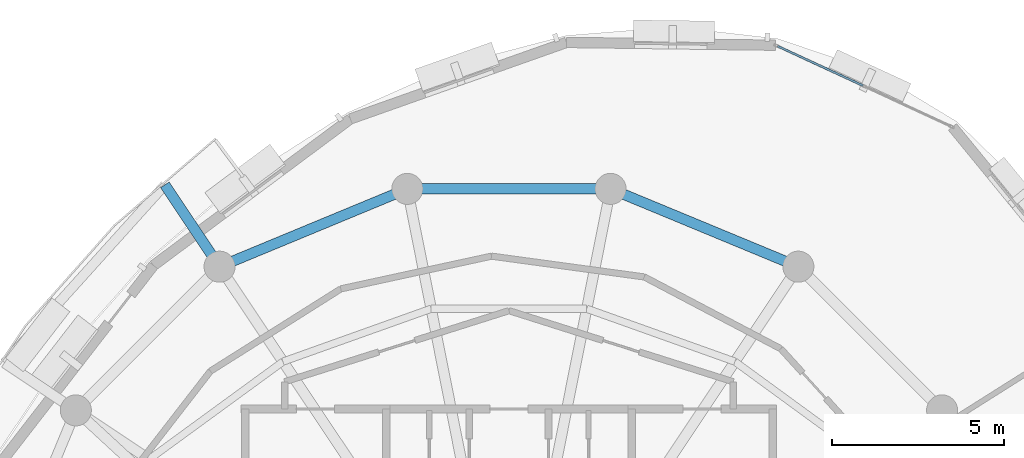
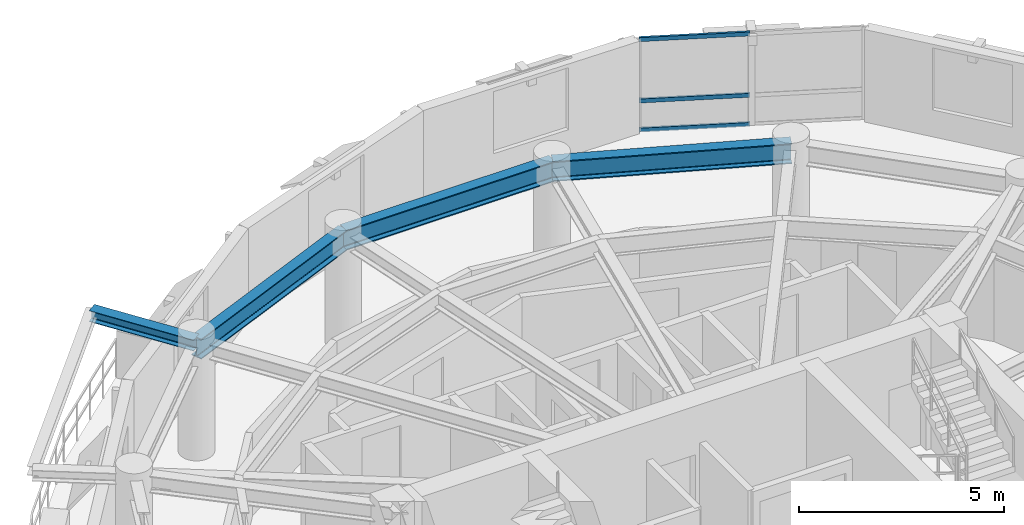
# One storey, part 4 of 11: 4 beams, 3 members, 1 element without a shape of its own.
"""IFC4 building model written with IfcOpenShell, lengths in metres."""

from ifc_helpers import new_model, si_unit, direction, frame, origin, origin_2d, place, context, subcontext, project, spatial, hollow_rectangle, i_section, extrude, material, layer, layer_set, material_profile, profile_set, type_object, element, aggregate, save


model = new_model("IFC4")

# Units and contexts
model_context = context("Model", 3, precision=1e-05, world=origin(), true_north=direction((0.0, 1.0)))
body_context = subcontext(model_context, "Body", "Model", "MODEL_VIEW")
ifc_project = project(units=[si_unit("LENGTHUNIT", "METRE"), si_unit("AREAUNIT", "SQUARE_METRE"), si_unit("VOLUMEUNIT", "CUBIC_METRE"), si_unit("PLANEANGLEUNIT", "RADIAN"), si_unit("MASSUNIT", "GRAM", prefix="KILO"), si_unit("THERMODYNAMICTEMPERATUREUNIT", "KELVIN"), si_unit("POWERUNIT", "WATT")], contexts=[model_context])

# Site, building, storey
site_placement = place(None, origin())
site = spatial("IfcSite", under=ifc_project, at=site_placement, CompositionType="ELEMENT")
building_placement = place(site_placement, origin())
building = spatial("IfcBuilding", under=site, at=building_placement, Name="Ocrelia Relay Tower", CompositionType="ELEMENT")
storey_placement = place(building_placement, frame((0.0, 0.0, 248.39990234375)))
storey = spatial("IfcBuildingStorey", under=building, at=storey_placement, Name="L61", CompositionType="ELEMENT", Elevation=248.39990234375)

# Beams
ifc_material_1 = material(Name="Steel S355", Category="steel")
ifc_material_profile_1 = material_profile(ifc_material_1, i_section(OverallWidth=0.300048828125, OverallDepth=0.330078125, WebThickness=0.009521484375, FlangeThickness=0.0166015625, FilletRadius=0.027099609375, at=origin_2d()), Name="HEA 340")
ifc_profile_set_1 = profile_set([ifc_material_profile_1], Name="Steel S355")
beam_type_1 = type_object("IfcBeamType", Name="BM-HEA340", PredefinedType="BEAM", material=ifc_profile_set_1)
beam_1_placement = place(storey_placement, frame((25.61083984375, 38.55517578125, 3.215087890625), z_axis=(-0.555549199734, 0.83148366591, 0.0), x_axis=(-0.83148366591, -0.555549199734, 0.0)))
element("IfcBeam", 1, at=beam_1_placement, inside=storey, type_object=beam_type_1, Name="L62 Balcony Cantilever Beam B1-1", PredefinedType="BEAM", context=body_context, shape_type="SweptSolid", body=[
    extrude(i_section(OverallWidth=0.300048828125, OverallDepth=0.330078125, WebThickness=0.009521484375, FlangeThickness=0.0166015625, FilletRadius=0.027099609375, at=origin_2d()), origin(), (0.0, 0.0, 1.0), 2.8525390625),
])
ifc_material_profile_2 = material_profile(ifc_material_1, i_section(OverallWidth=0.300048828125, OverallDepth=0.60009765625, WebThickness=0.015380859375, FlangeThickness=0.030029296875, FilletRadius=0.027099609375, at=origin_2d()), Name="HEB 600")
ifc_profile_set_2 = profile_set([ifc_material_profile_2], Name="Steel S355")
beam_type_2 = type_object("IfcBeamType", Name="BM-HEB600", PredefinedType="BEAM", material=ifc_profile_set_2)
beam_2_placement = place(storey_placement, frame((42.38916015625, 38.55517578125, 3.080078125), z_axis=(-0.923884009374, 0.382672624084, 0.0), x_axis=(-0.382672624084, -0.923884009374, 0.0)))
element("IfcBeam", 2, at=beam_2_placement, inside=storey, type_object=beam_type_2, Name="L61 Perimeter Spandrel Beam S03", PredefinedType="BEAM", context=body_context, shape_type="SweptSolid", body=[
    extrude(i_section(OverallWidth=0.300048828125, OverallDepth=0.60009765625, WebThickness=0.015380859375, FlangeThickness=0.030029296875, FilletRadius=0.027099609375, at=origin_2d()), origin(), (0.0, 0.0, 1.0), 5.891845703125),
])
beam_3_placement = place(storey_placement, frame((36.94580078125, 40.809814453125, 3.080078125), z_axis=(-1.0, 0.0, 0.0), x_axis=(0.0, -1.0, 0.0)))
element("IfcBeam", 3, at=beam_3_placement, inside=storey, type_object=beam_type_2, Name="L61 Perimeter Spandrel Beam S04", PredefinedType="BEAM", context=body_context, shape_type="SweptSolid", body=[
    extrude(i_section(OverallWidth=0.300048828125, OverallDepth=0.60009765625, WebThickness=0.015380859375, FlangeThickness=0.030029296875, FilletRadius=0.027099609375, at=origin_2d()), origin(), (0.0, 0.0, 1.0), 5.8916015625),
])
beam_4_placement = place(storey_placement, frame((31.05419921875, 40.809814453125, 3.080078125), z_axis=(-0.923884009374, -0.382672624084, 0.0), x_axis=(0.382672624084, -0.923884009374, 0.0)))
element("IfcBeam", 4, at=beam_4_placement, inside=storey, type_object=beam_type_2, Name="L61 Perimeter Spandrel Beam S05", PredefinedType="BEAM", context=body_context, shape_type="SweptSolid", body=[
    extrude(i_section(OverallWidth=0.300048828125, OverallDepth=0.60009765625, WebThickness=0.015380859375, FlangeThickness=0.030029296875, FilletRadius=0.027099609375, at=origin_2d()), origin(), (0.0, 0.0, 1.0), 5.891845703125),
])

# Curtain wall, members
ifc_material_2 = material(Name="Aluminium and solar-control low-E glass", Category="aluminium")
ifc_layer = layer(ifc_material_2, 0.179931640625, Name="Aluminium and solar-control low-E glass")
ifc_layer_set = layer_set([ifc_layer], Name="Aluminium and solar-control low-E glass")
curtain_wall_type = type_object("IfcCurtainWallType", Name="CW-SYS-Z4-EXEC", PredefinedType="NOTDEFINED", material=ifc_layer_set)
curtain_wall_placement = place(storey_placement, origin())
curtain_wall = element("IfcCurtainWall", 5, at=curtain_wall_placement, inside=storey, type_object=curtain_wall_type, Name="L61 Elliptical Tower Curtain Wall Bay 01", PredefinedType="NOTDEFINED")
ifc_material_3 = material(Name="Anodised bronze aluminium", Category="aluminium")
ifc_material_profile_3 = material_profile(ifc_material_3, hollow_rectangle(XDim=0.06005859375, YDim=0.1201171875, WallThickness=0.0048828125, at=origin_2d()), Name="CW-TRN-120x60")
ifc_profile_set_3 = profile_set([ifc_material_profile_3], Name="Anodised bronze aluminium")
member_type = type_object("IfcMemberType", Name="CW-SYS-Z4-EXEC-TRN", PredefinedType="USERDEFINED", material=ifc_profile_set_3)
member_1_placement = place(storey_placement, frame((44.262451171875, 43.802978515625, 0.030029296875), z_axis=(-0.907786404668, 0.419432763979, 0.0), x_axis=(-0.419432763979, -0.907786404668, 0.0)))
member_1 = element("IfcMember", 6, at=member_1_placement, type_object=member_type, Name="CW-Z4 transom 2.1", ObjectType="TRANSOM", PredefinedType="USERDEFINED", context=body_context, shape_type="SweptSolid", body=[
    extrude(hollow_rectangle(XDim=0.06005859375, YDim=0.1201171875, WallThickness=0.0048828125, at=origin_2d()), origin(), (0.0, 0.0, 1.0), 2.7275390625),
])
member_2_placement = place(storey_placement, frame((44.262451171875, 43.802978515625, 0.900146484375), z_axis=(-0.907786404668, 0.419432763979, 0.0), x_axis=(-0.419432763979, -0.907786404668, 0.0)))
member_2 = element("IfcMember", 7, at=member_2_placement, type_object=member_type, Name="CW-Z4 transom 2.2", ObjectType="TRANSOM", PredefinedType="USERDEFINED", context=body_context, shape_type="SweptSolid", body=[
    extrude(hollow_rectangle(XDim=0.06005859375, YDim=0.1201171875, WallThickness=0.0048828125, at=origin_2d()), origin(), (0.0, 0.0, 1.0), 2.7275390625),
])
member_3_placement = place(storey_placement, frame((44.262451171875, 43.802978515625, 2.72998046875), z_axis=(-0.907786404668, 0.419432763979, 0.0), x_axis=(-0.419432763979, -0.907786404668, 0.0)))
member_3 = element("IfcMember", 8, at=member_3_placement, type_object=member_type, Name="CW-Z4 transom 2.3", ObjectType="TRANSOM", PredefinedType="USERDEFINED", context=body_context, shape_type="SweptSolid", body=[
    extrude(hollow_rectangle(XDim=0.06005859375, YDim=0.1201171875, WallThickness=0.0048828125, at=origin_2d()), origin(), (0.0, 0.0, 1.0), 2.7275390625),
])
aggregate(curtain_wall, [member_1, member_2, member_3])

save(model, "model.ifc")
